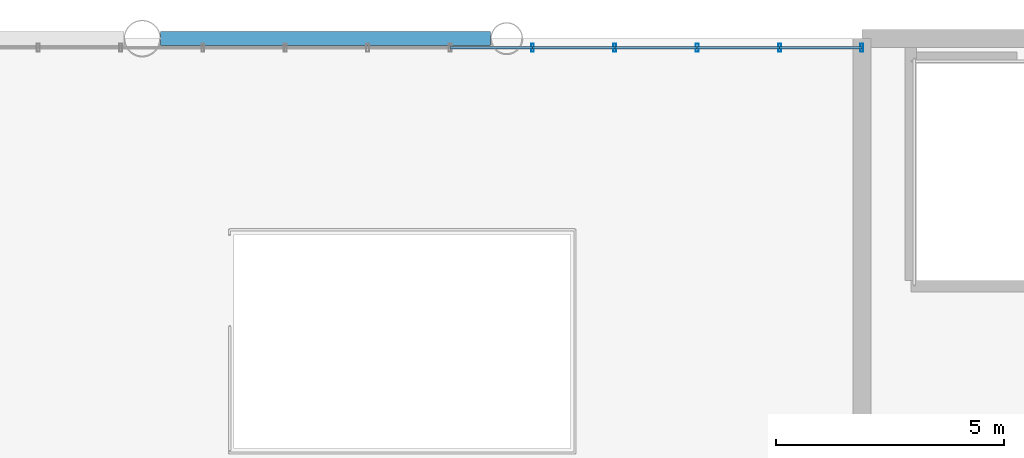
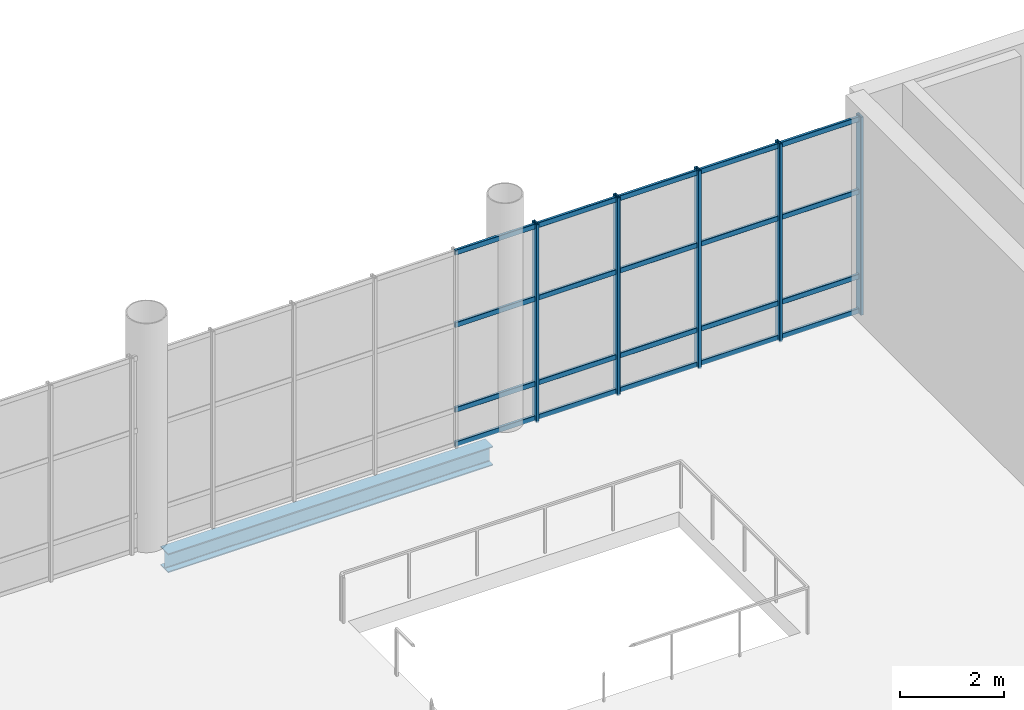
# One storey, part 115 of 176: 25 members, 1 beam, 1 element without a shape of its own.
"""IFC4 building model written with IfcOpenShell, lengths in metres."""

from ifc_helpers import new_model, si_unit, direction, frame, origin, origin_2d, place, context, subcontext, project, spatial, hollow_rectangle, i_section, extrude, material, layer, layer_set, material_profile, profile_set, type_object, element, aggregate, save


model = new_model("IFC4")

# Units and contexts
model_context = context("Model", 3, precision=1e-05, world=origin(), true_north=direction((0.0, 1.0)))
body_context = subcontext(model_context, "Body", "Model", "MODEL_VIEW")
ifc_project = project(units=[si_unit("LENGTHUNIT", "METRE"), si_unit("AREAUNIT", "SQUARE_METRE"), si_unit("VOLUMEUNIT", "CUBIC_METRE"), si_unit("PLANEANGLEUNIT", "RADIAN"), si_unit("MASSUNIT", "GRAM", prefix="KILO")], contexts=[model_context])

# Site, building, storey
site_placement = place(None, origin())
site = spatial("IfcSite", under=ifc_project, at=site_placement, CompositionType="ELEMENT")
building_placement = place(site_placement, origin())
building = spatial("IfcBuilding", under=site, at=building_placement, Name="Khorjan Park Terminus", CompositionType="ELEMENT")
storey_placement = place(building_placement, frame((0.0, 0.0, 6.0)))
storey = spatial("IfcBuildingStorey", under=building, at=storey_placement, Name="L01", CompositionType="ELEMENT", Elevation=6.0)

# Beam
ifc_material_1 = material(Name="Steel S355", Category="steel")
ifc_material_profile_1 = material_profile(ifc_material_1, i_section(OverallWidth=0.3, OverallDepth=0.45, WebThickness=0.014, FlangeThickness=0.026, FilletRadius=0.027, at=origin_2d()), Name="HEB 450")
ifc_profile_set_1 = profile_set([ifc_material_profile_1], Name="Steel S355")
beam_type = type_object("IfcBeamType", Name="BM-HEB450", PredefinedType="BEAM", material=ifc_profile_set_1)
beam_placement = place(storey_placement, frame((104.4015, 154.0, -0.585), z_axis=(1.0, 0.0, 0.0), x_axis=(0.0, 1.0, 0.0)))
element("IfcBeam", 1, at=beam_placement, inside=storey, type_object=beam_type, Name="Primary floor girder SB-B45 (L01)", PredefinedType="BEAM", context=body_context, shape_type="SweptSolid", body=[
    extrude(i_section(OverallWidth=0.3, OverallDepth=0.45, WebThickness=0.014, FlangeThickness=0.026, FilletRadius=0.027, at=origin_2d()), origin(), (0.0, 0.0, 1.0), 7.248),
])

# Curtain wall, members
ifc_material_2 = material(Name="Anodized Bronze Aluminium", Category="aluminium")
ifc_layer = layer(ifc_material_2, 0.22)
ifc_layer_set = layer_set([ifc_layer], Name="Anodized Bronze Aluminium")
curtain_wall_type = type_object("IfcCurtainWallType", Name="CW-BRG-D", PredefinedType="NOTDEFINED", material=ifc_layer_set)
curtain_wall_placement = place(storey_placement, origin())
curtain_wall = element("IfcCurtainWall", 2, at=curtain_wall_placement, inside=storey, type_object=curtain_wall_type, Name="Unitized curtain wall CW-D (CW-BRE-N)", PredefinedType="NOTDEFINED")
ifc_material_profile_2 = material_profile(ifc_material_2, hollow_rectangle(XDim=0.065, YDim=0.18, WallThickness=0.004, InnerFilletRadius=0.004, OuterFilletRadius=0.008, at=origin_2d()), Name="ALM 65x180x4")
ifc_profile_set_2 = profile_set([ifc_material_profile_2], Name="Anodized Bronze Aluminium")
member_type_1 = type_object("IfcMemberType", Name="ML-ALM-180", PredefinedType="MULLION", material=ifc_profile_set_2)
member_1_placement = place(storey_placement, frame((119.8, 153.8, -0.035), z_axis=(0.0, 0.0, 1.0), x_axis=(-1.0, 0.0, 0.0)))
member_1 = element("IfcMember", 3, at=member_1_placement, type_object=member_type_1, Name="Curtain-wall mullion ML-18 (CW-BRE-N-0)", PredefinedType="MULLION", context=body_context, shape_type="SweptSolid", body=[
    extrude(hollow_rectangle(XDim=0.065, YDim=0.18, WallThickness=0.004, InnerFilletRadius=0.004, OuterFilletRadius=0.008, at=origin_2d()), origin(), (0.0, 0.0, 1.0), 4.67),
])
member_2_placement = place(storey_placement, frame((117.9917, 153.8, -0.035), z_axis=(0.0, 0.0, 1.0), x_axis=(-1.0, 0.0, 0.0)))
member_2 = element("IfcMember", 4, at=member_2_placement, type_object=member_type_1, Name="Curtain-wall mullion ML-18 (CW-BRE-N-1)", PredefinedType="MULLION", context=body_context, shape_type="SweptSolid", body=[
    extrude(hollow_rectangle(XDim=0.065, YDim=0.18, WallThickness=0.004, InnerFilletRadius=0.004, OuterFilletRadius=0.008, at=origin_2d()), origin(), (0.0, 0.0, 1.0), 4.67),
])
member_3_placement = place(storey_placement, frame((116.1833, 153.8, -0.035), z_axis=(0.0, 0.0, 1.0), x_axis=(-1.0, 0.0, 0.0)))
member_3 = element("IfcMember", 5, at=member_3_placement, type_object=member_type_1, Name="Curtain-wall mullion ML-18 (CW-BRE-N-2)", PredefinedType="MULLION", context=body_context, shape_type="SweptSolid", body=[
    extrude(hollow_rectangle(XDim=0.065, YDim=0.18, WallThickness=0.004, InnerFilletRadius=0.004, OuterFilletRadius=0.008, at=origin_2d()), origin(), (0.0, 0.0, 1.0), 4.67),
])
member_4_placement = place(storey_placement, frame((114.375, 153.8, -0.035), z_axis=(0.0, 0.0, 1.0), x_axis=(-1.0, 0.0, 0.0)))
member_4 = element("IfcMember", 6, at=member_4_placement, type_object=member_type_1, Name="Curtain-wall mullion ML-18 (CW-BRE-N-3)", PredefinedType="MULLION", context=body_context, shape_type="SweptSolid", body=[
    extrude(hollow_rectangle(XDim=0.065, YDim=0.18, WallThickness=0.004, InnerFilletRadius=0.004, OuterFilletRadius=0.008, at=origin_2d()), origin(), (0.0, 0.0, 1.0), 4.67),
])
member_5_placement = place(storey_placement, frame((112.5667, 153.8, -0.035), z_axis=(0.0, 0.0, 1.0), x_axis=(-1.0, 0.0, 0.0)))
member_5 = element("IfcMember", 7, at=member_5_placement, type_object=member_type_1, Name="Curtain-wall mullion ML-18 (CW-BRE-N-4)", PredefinedType="MULLION", context=body_context, shape_type="SweptSolid", body=[
    extrude(hollow_rectangle(XDim=0.065, YDim=0.18, WallThickness=0.004, InnerFilletRadius=0.004, OuterFilletRadius=0.008, at=origin_2d()), origin(), (0.0, 0.0, 1.0), 4.67),
])
ifc_material_profile_3 = material_profile(ifc_material_2, hollow_rectangle(XDim=0.06, YDim=0.12, WallThickness=0.004, InnerFilletRadius=0.004, OuterFilletRadius=0.008, at=origin_2d()), Name="ALT 60x120x4")
ifc_profile_set_3 = profile_set([ifc_material_profile_3], Name="Anodized Bronze Aluminium")
member_type_2 = type_object("IfcMemberType", Name="TR-ALT-120", PredefinedType="USERDEFINED", material=ifc_profile_set_3)
member_6_placement = place(storey_placement, frame((119.8, 153.8, 0.04), z_axis=(-1.0, 0.0, 0.0), x_axis=(0.0, -1.0, 0.0)))
member_6 = element("IfcMember", 8, at=member_6_placement, type_object=member_type_2, Name="Curtain-wall transom TR-12 (CW-BRE-N-0-1)", ObjectType="TRANSOM", PredefinedType="USERDEFINED", context=body_context, shape_type="SweptSolid", body=[
    extrude(hollow_rectangle(XDim=0.06, YDim=0.12, WallThickness=0.004, InnerFilletRadius=0.004, OuterFilletRadius=0.008, at=origin_2d()), origin(), (0.0, 0.0, 1.0), 1.8083),
])
member_7_placement = place(storey_placement, frame((119.8, 153.8, 0.85), z_axis=(-1.0, 0.0, 0.0), x_axis=(0.0, -1.0, 0.0)))
member_7 = element("IfcMember", 9, at=member_7_placement, type_object=member_type_2, Name="Curtain-wall transom TR-12 (CW-BRE-N-0-2)", ObjectType="TRANSOM", PredefinedType="USERDEFINED", context=body_context, shape_type="SweptSolid", body=[
    extrude(hollow_rectangle(XDim=0.06, YDim=0.12, WallThickness=0.004, InnerFilletRadius=0.004, OuterFilletRadius=0.008, at=origin_2d()), origin(), (0.0, 0.0, 1.0), 1.8083),
])
member_8_placement = place(storey_placement, frame((119.8, 153.8, 2.852), z_axis=(-1.0, 0.0, 0.0), x_axis=(0.0, -1.0, 0.0)))
member_8 = element("IfcMember", 10, at=member_8_placement, type_object=member_type_2, Name="Curtain-wall transom TR-12 (CW-BRE-N-0-3)", ObjectType="TRANSOM", PredefinedType="USERDEFINED", context=body_context, shape_type="SweptSolid", body=[
    extrude(hollow_rectangle(XDim=0.06, YDim=0.12, WallThickness=0.004, InnerFilletRadius=0.004, OuterFilletRadius=0.008, at=origin_2d()), origin(), (0.0, 0.0, 1.0), 1.8083),
])
member_9_placement = place(storey_placement, frame((119.8, 153.8, 4.56), z_axis=(-1.0, 0.0, 0.0), x_axis=(0.0, -1.0, 0.0)))
member_9 = element("IfcMember", 11, at=member_9_placement, type_object=member_type_2, Name="Curtain-wall transom TR-12 (CW-BRE-N-0-4)", ObjectType="TRANSOM", PredefinedType="USERDEFINED", context=body_context, shape_type="SweptSolid", body=[
    extrude(hollow_rectangle(XDim=0.06, YDim=0.12, WallThickness=0.004, InnerFilletRadius=0.004, OuterFilletRadius=0.008, at=origin_2d()), origin(), (0.0, 0.0, 1.0), 1.8083),
])
member_10_placement = place(storey_placement, frame((117.9917, 153.8, 0.04), z_axis=(-1.0, 0.0, 0.0), x_axis=(0.0, -1.0, 0.0)))
member_10 = element("IfcMember", 12, at=member_10_placement, type_object=member_type_2, Name="Curtain-wall transom TR-12 (CW-BRE-N-1-1)", ObjectType="TRANSOM", PredefinedType="USERDEFINED", context=body_context, shape_type="SweptSolid", body=[
    extrude(hollow_rectangle(XDim=0.06, YDim=0.12, WallThickness=0.004, InnerFilletRadius=0.004, OuterFilletRadius=0.008, at=origin_2d()), origin(), (0.0, 0.0, 1.0), 1.8084),
])
member_11_placement = place(storey_placement, frame((117.9917, 153.8, 0.85), z_axis=(-1.0, 0.0, 0.0), x_axis=(0.0, -1.0, 0.0)))
member_11 = element("IfcMember", 13, at=member_11_placement, type_object=member_type_2, Name="Curtain-wall transom TR-12 (CW-BRE-N-1-2)", ObjectType="TRANSOM", PredefinedType="USERDEFINED", context=body_context, shape_type="SweptSolid", body=[
    extrude(hollow_rectangle(XDim=0.06, YDim=0.12, WallThickness=0.004, InnerFilletRadius=0.004, OuterFilletRadius=0.008, at=origin_2d()), origin(), (0.0, 0.0, 1.0), 1.8084),
])
member_12_placement = place(storey_placement, frame((117.9917, 153.8, 2.852), z_axis=(-1.0, 0.0, 0.0), x_axis=(0.0, -1.0, 0.0)))
member_12 = element("IfcMember", 14, at=member_12_placement, type_object=member_type_2, Name="Curtain-wall transom TR-12 (CW-BRE-N-1-3)", ObjectType="TRANSOM", PredefinedType="USERDEFINED", context=body_context, shape_type="SweptSolid", body=[
    extrude(hollow_rectangle(XDim=0.06, YDim=0.12, WallThickness=0.004, InnerFilletRadius=0.004, OuterFilletRadius=0.008, at=origin_2d()), origin(), (0.0, 0.0, 1.0), 1.8084),
])
member_13_placement = place(storey_placement, frame((117.9917, 153.8, 4.56), z_axis=(-1.0, 0.0, 0.0), x_axis=(0.0, -1.0, 0.0)))
member_13 = element("IfcMember", 15, at=member_13_placement, type_object=member_type_2, Name="Curtain-wall transom TR-12 (CW-BRE-N-1-4)", ObjectType="TRANSOM", PredefinedType="USERDEFINED", context=body_context, shape_type="SweptSolid", body=[
    extrude(hollow_rectangle(XDim=0.06, YDim=0.12, WallThickness=0.004, InnerFilletRadius=0.004, OuterFilletRadius=0.008, at=origin_2d()), origin(), (0.0, 0.0, 1.0), 1.8084),
])
member_14_placement = place(storey_placement, frame((116.1833, 153.8, 0.04), z_axis=(-1.0, 0.0, 0.0), x_axis=(0.0, -1.0, 0.0)))
member_14 = element("IfcMember", 16, at=member_14_placement, type_object=member_type_2, Name="Curtain-wall transom TR-12 (CW-BRE-N-2-1)", ObjectType="TRANSOM", PredefinedType="USERDEFINED", context=body_context, shape_type="SweptSolid", body=[
    extrude(hollow_rectangle(XDim=0.06, YDim=0.12, WallThickness=0.004, InnerFilletRadius=0.004, OuterFilletRadius=0.008, at=origin_2d()), origin(), (0.0, 0.0, 1.0), 1.8083),
])
member_15_placement = place(storey_placement, frame((116.1833, 153.8, 0.85), z_axis=(-1.0, 0.0, 0.0), x_axis=(0.0, -1.0, 0.0)))
member_15 = element("IfcMember", 17, at=member_15_placement, type_object=member_type_2, Name="Curtain-wall transom TR-12 (CW-BRE-N-2-2)", ObjectType="TRANSOM", PredefinedType="USERDEFINED", context=body_context, shape_type="SweptSolid", body=[
    extrude(hollow_rectangle(XDim=0.06, YDim=0.12, WallThickness=0.004, InnerFilletRadius=0.004, OuterFilletRadius=0.008, at=origin_2d()), origin(), (0.0, 0.0, 1.0), 1.8083),
])
member_16_placement = place(storey_placement, frame((116.1833, 153.8, 2.852), z_axis=(-1.0, 0.0, 0.0), x_axis=(0.0, -1.0, 0.0)))
member_16 = element("IfcMember", 18, at=member_16_placement, type_object=member_type_2, Name="Curtain-wall transom TR-12 (CW-BRE-N-2-3)", ObjectType="TRANSOM", PredefinedType="USERDEFINED", context=body_context, shape_type="SweptSolid", body=[
    extrude(hollow_rectangle(XDim=0.06, YDim=0.12, WallThickness=0.004, InnerFilletRadius=0.004, OuterFilletRadius=0.008, at=origin_2d()), origin(), (0.0, 0.0, 1.0), 1.8083),
])
member_17_placement = place(storey_placement, frame((116.1833, 153.8, 4.56), z_axis=(-1.0, 0.0, 0.0), x_axis=(0.0, -1.0, 0.0)))
member_17 = element("IfcMember", 19, at=member_17_placement, type_object=member_type_2, Name="Curtain-wall transom TR-12 (CW-BRE-N-2-4)", ObjectType="TRANSOM", PredefinedType="USERDEFINED", context=body_context, shape_type="SweptSolid", body=[
    extrude(hollow_rectangle(XDim=0.06, YDim=0.12, WallThickness=0.004, InnerFilletRadius=0.004, OuterFilletRadius=0.008, at=origin_2d()), origin(), (0.0, 0.0, 1.0), 1.8083),
])
member_18_placement = place(storey_placement, frame((114.375, 153.8, 0.04), z_axis=(-1.0, 0.0, 0.0), x_axis=(0.0, -1.0, 0.0)))
member_18 = element("IfcMember", 20, at=member_18_placement, type_object=member_type_2, Name="Curtain-wall transom TR-12 (CW-BRE-N-3-1)", ObjectType="TRANSOM", PredefinedType="USERDEFINED", context=body_context, shape_type="SweptSolid", body=[
    extrude(hollow_rectangle(XDim=0.06, YDim=0.12, WallThickness=0.004, InnerFilletRadius=0.004, OuterFilletRadius=0.008, at=origin_2d()), origin(), (0.0, 0.0, 1.0), 1.8083),
])
member_19_placement = place(storey_placement, frame((114.375, 153.8, 0.85), z_axis=(-1.0, 0.0, 0.0), x_axis=(0.0, -1.0, 0.0)))
member_19 = element("IfcMember", 21, at=member_19_placement, type_object=member_type_2, Name="Curtain-wall transom TR-12 (CW-BRE-N-3-2)", ObjectType="TRANSOM", PredefinedType="USERDEFINED", context=body_context, shape_type="SweptSolid", body=[
    extrude(hollow_rectangle(XDim=0.06, YDim=0.12, WallThickness=0.004, InnerFilletRadius=0.004, OuterFilletRadius=0.008, at=origin_2d()), origin(), (0.0, 0.0, 1.0), 1.8083),
])
member_20_placement = place(storey_placement, frame((114.375, 153.8, 2.852), z_axis=(-1.0, 0.0, 0.0), x_axis=(0.0, -1.0, 0.0)))
member_20 = element("IfcMember", 22, at=member_20_placement, type_object=member_type_2, Name="Curtain-wall transom TR-12 (CW-BRE-N-3-3)", ObjectType="TRANSOM", PredefinedType="USERDEFINED", context=body_context, shape_type="SweptSolid", body=[
    extrude(hollow_rectangle(XDim=0.06, YDim=0.12, WallThickness=0.004, InnerFilletRadius=0.004, OuterFilletRadius=0.008, at=origin_2d()), origin(), (0.0, 0.0, 1.0), 1.8083),
])
member_21_placement = place(storey_placement, frame((114.375, 153.8, 4.56), z_axis=(-1.0, 0.0, 0.0), x_axis=(0.0, -1.0, 0.0)))
member_21 = element("IfcMember", 23, at=member_21_placement, type_object=member_type_2, Name="Curtain-wall transom TR-12 (CW-BRE-N-3-4)", ObjectType="TRANSOM", PredefinedType="USERDEFINED", context=body_context, shape_type="SweptSolid", body=[
    extrude(hollow_rectangle(XDim=0.06, YDim=0.12, WallThickness=0.004, InnerFilletRadius=0.004, OuterFilletRadius=0.008, at=origin_2d()), origin(), (0.0, 0.0, 1.0), 1.8083),
])
member_22_placement = place(storey_placement, frame((112.5667, 153.8, 0.04), z_axis=(-1.0, 0.0, 0.0), x_axis=(0.0, -1.0, 0.0)))
member_22 = element("IfcMember", 24, at=member_22_placement, type_object=member_type_2, Name="Curtain-wall transom TR-12 (CW-BRE-N-4-1)", ObjectType="TRANSOM", PredefinedType="USERDEFINED", context=body_context, shape_type="SweptSolid", body=[
    extrude(hollow_rectangle(XDim=0.06, YDim=0.12, WallThickness=0.004, InnerFilletRadius=0.004, OuterFilletRadius=0.008, at=origin_2d()), origin(), (0.0, 0.0, 1.0), 1.8084),
])
member_23_placement = place(storey_placement, frame((112.5667, 153.8, 0.85), z_axis=(-1.0, 0.0, 0.0), x_axis=(0.0, -1.0, 0.0)))
member_23 = element("IfcMember", 25, at=member_23_placement, type_object=member_type_2, Name="Curtain-wall transom TR-12 (CW-BRE-N-4-2)", ObjectType="TRANSOM", PredefinedType="USERDEFINED", context=body_context, shape_type="SweptSolid", body=[
    extrude(hollow_rectangle(XDim=0.06, YDim=0.12, WallThickness=0.004, InnerFilletRadius=0.004, OuterFilletRadius=0.008, at=origin_2d()), origin(), (0.0, 0.0, 1.0), 1.8084),
])
member_24_placement = place(storey_placement, frame((112.5667, 153.8, 2.852), z_axis=(-1.0, 0.0, 0.0), x_axis=(0.0, -1.0, 0.0)))
member_24 = element("IfcMember", 26, at=member_24_placement, type_object=member_type_2, Name="Curtain-wall transom TR-12 (CW-BRE-N-4-3)", ObjectType="TRANSOM", PredefinedType="USERDEFINED", context=body_context, shape_type="SweptSolid", body=[
    extrude(hollow_rectangle(XDim=0.06, YDim=0.12, WallThickness=0.004, InnerFilletRadius=0.004, OuterFilletRadius=0.008, at=origin_2d()), origin(), (0.0, 0.0, 1.0), 1.8084),
])
member_25_placement = place(storey_placement, frame((112.5667, 153.8, 4.56), z_axis=(-1.0, 0.0, 0.0), x_axis=(0.0, -1.0, 0.0)))
member_25 = element("IfcMember", 27, at=member_25_placement, type_object=member_type_2, Name="Curtain-wall transom TR-12 (CW-BRE-N-4-4)", ObjectType="TRANSOM", PredefinedType="USERDEFINED", context=body_context, shape_type="SweptSolid", body=[
    extrude(hollow_rectangle(XDim=0.06, YDim=0.12, WallThickness=0.004, InnerFilletRadius=0.004, OuterFilletRadius=0.008, at=origin_2d()), origin(), (0.0, 0.0, 1.0), 1.8084),
])
aggregate(curtain_wall, [member_1, member_2, member_3, member_4, member_5, member_6, member_7, member_8, member_9, member_10, member_11, member_12, member_13, member_14, member_15, member_16, member_17, member_18, member_19, member_20, member_21, member_22, member_23, member_24, member_25])

save(model, "model.ifc")
